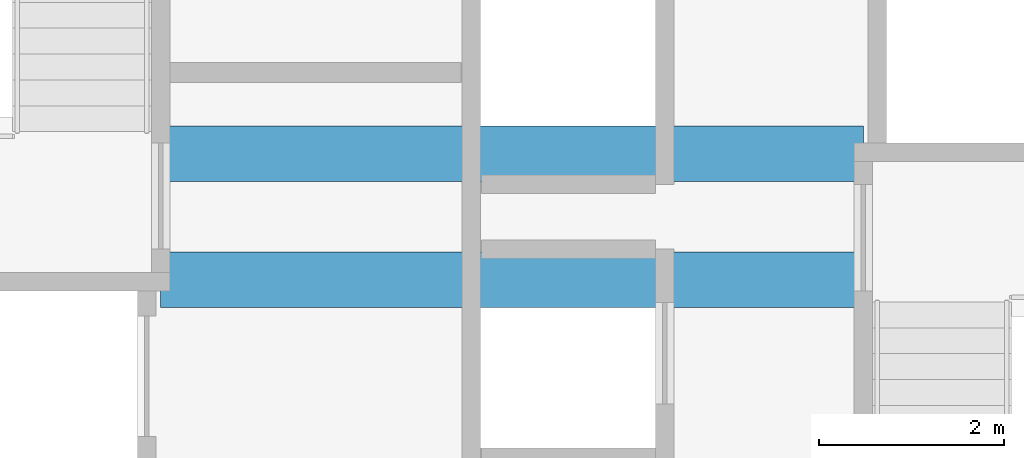
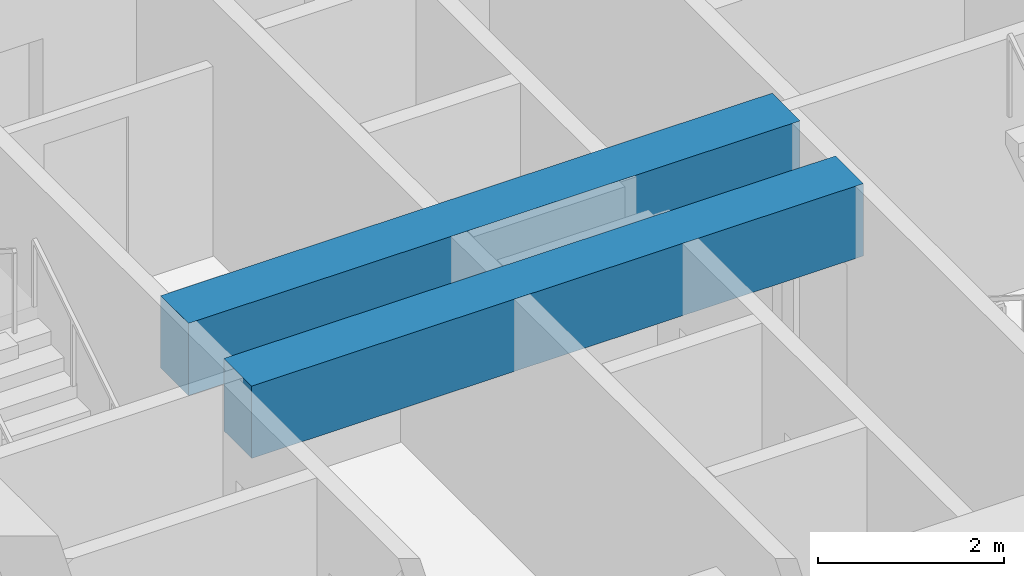
# One storey, part 8 of 48: 2 beams.
"""IFC4 building model written with IfcOpenShell, lengths in metres."""

from ifc_helpers import new_model, si_unit, direction, frame, origin, origin_2d, place, context, subcontext, project, spatial, rectangle, extrude, material, material_profile, profile_set, type_object, element, save


model = new_model("IFC4")

# Units and contexts
model_context = context("Model", 3, precision=1e-05, world=origin(), true_north=direction((0.0, 1.0)))
body_context = subcontext(model_context, "Body", "Model", "MODEL_VIEW")
ifc_project = project(units=[si_unit("LENGTHUNIT", "METRE"), si_unit("AREAUNIT", "SQUARE_METRE"), si_unit("VOLUMEUNIT", "CUBIC_METRE"), si_unit("PLANEANGLEUNIT", "RADIAN"), si_unit("MASSUNIT", "GRAM", prefix="KILO")], contexts=[model_context])

# Site, building, storey
site_placement = place(None, origin())
site = spatial("IfcSite", under=ifc_project, at=site_placement, CompositionType="ELEMENT")
building_placement = place(site_placement, origin())
building = spatial("IfcBuilding", under=site, at=building_placement, Name="Tashvorn Skyway Center", CompositionType="ELEMENT")
storey_placement = place(building_placement, frame((0.0, 0.0, 63.64990234375)))
storey = spatial("IfcBuildingStorey", under=building, at=storey_placement, Name="L16", CompositionType="ELEMENT", Elevation=63.64990234375)

# Beams
ifc_material = material(Name="Concrete C60/75", Category="concrete")
ifc_material_profile = material_profile(ifc_material, rectangle(XDim=0.60009765625, YDim=0.949951171875, at=origin_2d()), Name="RCB600x950")
ifc_profile_set = profile_set([ifc_material_profile], Name="Concrete C60/75")
beam_type = type_object("IfcBeamType", Name="BM-LINTEL-RCB600x950", PredefinedType="LINTEL", material=ifc_profile_set)
for number, where, z_axis, x_axis, name in (
    (1, (38.199951171875, 32.679931640625, 2.875), (1.0, 0.0, 0.0), (0.0, 1.0, 0.0), "Tower 1 L16 Core Coupling Beam CN"),
    (2, (38.199951171875, 31.320068359375, 2.875), (1.0, 0.0, 0.0), (0.0, 1.0, 0.0), "Tower 1 L16 Core Coupling Beam CS"),
):
    element("IfcBeam", number, at=place(storey_placement, frame(where, z_axis=z_axis, x_axis=x_axis)), inside=storey, type_object=beam_type, Name=name, PredefinedType="LINTEL", context=body_context, shape_type="SweptSolid", body=[
        extrude(rectangle(XDim=0.60009765625, YDim=0.949951171875, at=origin_2d()), origin(), (0.0, 0.0, 1.0), 7.60009765625),
    ])

save(model, "model.ifc")
